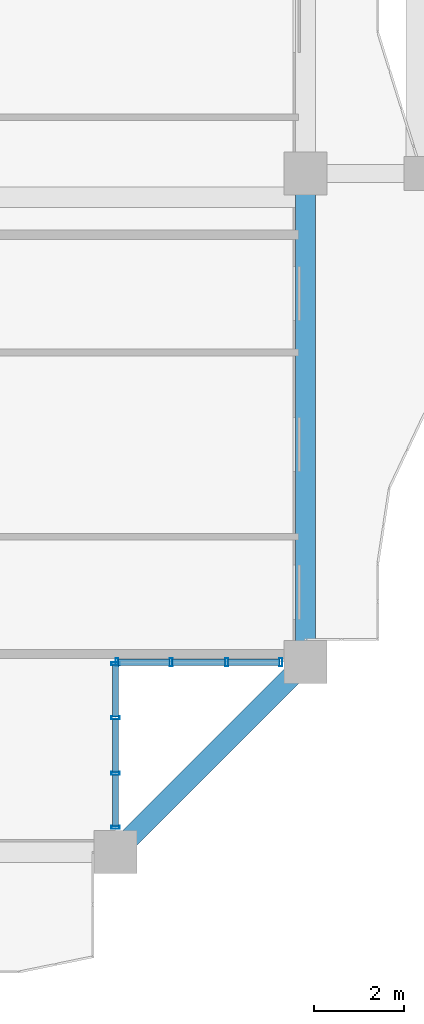
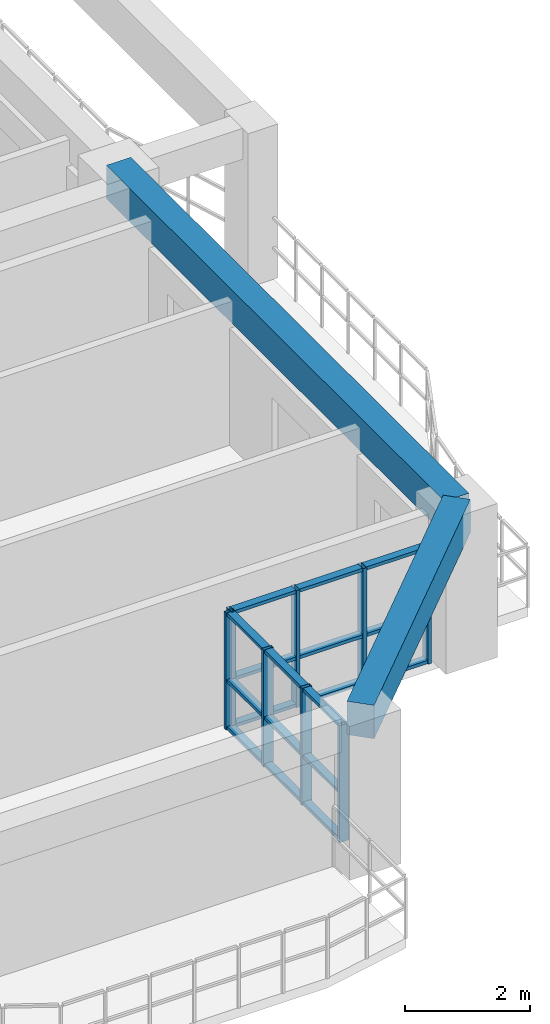
# One storey, part 4 of 25: 26 members, 2 beams, 2 elements without a shape of their own.
"""IFC4 building model written with IfcOpenShell, lengths in metres."""

from ifc_helpers import new_model, si_unit, direction, frame, origin, origin_2d, place, context, subcontext, project, spatial, rectangle, hollow_rectangle, extrude, source, transform, mapped, material, layer, layer_set, material_profile, profile_set, type_object, element, aggregate, save


model = new_model("IFC4")

# Units and contexts
model_context = context("Model", 3, precision=1e-05, world=origin(), true_north=direction((0.0, 1.0)))
body_context = subcontext(model_context, "Body", "Model", "MODEL_VIEW")
ifc_project = project(units=[si_unit("LENGTHUNIT", "METRE"), si_unit("AREAUNIT", "SQUARE_METRE"), si_unit("VOLUMEUNIT", "CUBIC_METRE"), si_unit("PLANEANGLEUNIT", "RADIAN"), si_unit("MASSUNIT", "GRAM", prefix="KILO")], contexts=[model_context])

# Site, building, storey
site_placement = place(None, origin())
site = spatial("IfcSite", under=ifc_project, at=site_placement, CompositionType="ELEMENT")
building_placement = place(site_placement, origin())
building = spatial("IfcBuilding", under=site, at=building_placement, Name="Saelheon Loggia Tower", CompositionType="ELEMENT")
storey_placement = place(building_placement, frame((0.0, 0.0, 107.85009765625)))
storey = spatial("IfcBuildingStorey", under=building, at=storey_placement, Name="L34", CompositionType="ELEMENT", Elevation=107.85009765625)

# Beams
ifc_material_1 = material(Name="Concrete C40/50", Category="concrete")
ifc_material_profile_1 = material_profile(ifc_material_1, rectangle(XDim=0.449951171875, YDim=0.64990234375, at=origin_2d()), Name="RC-450x650")
ifc_profile_set_1 = profile_set([ifc_material_profile_1], Name="Concrete C40/50")
beam_type = type_object("IfcBeamType", Name="Beam_PerimTower_RC450x650", PredefinedType="BEAM", material=ifc_profile_set_1)
shared_shape_1 = source(origin(), body_context, "Body", "SweptSolid", [
    extrude(rectangle(XDim=0.449951171875, YDim=0.64990234375, at=origin_2d()), origin(), (0.0, 0.0, 1.0), 5.939697265625),
])
beam_1_placement = place(storey_placement, frame((59.800048828125, 3.0, 2.6748046875), z_axis=(0.707106781187, 0.707106781187, 0.0), x_axis=(-0.707106781187, 0.707106781187, 0.0)))
element("IfcBeam", 1, at=beam_1_placement, inside=storey, type_object=beam_type, Name="L34 Perimeter Frame Girder 04", PredefinedType="BEAM", context=body_context, shape_type="MappedRepresentation", body=[
    mapped(shared_shape_1, transform((0.0, 0.0, 0.0), scale=1.0)),
])
shared_shape_2 = source(origin(), body_context, "Body", "SweptSolid", [
    extrude(rectangle(XDim=0.449951171875, YDim=0.64990234375, at=origin_2d()), origin(), (0.0, 0.0, 1.0), 10.800048828125),
])
beam_2_placement = place(storey_placement, frame((64.0, 7.199951171875, 2.6748046875), z_axis=(0.0, 1.0, 0.0), x_axis=(-1.0, 0.0, 0.0)))
element("IfcBeam", 2, at=beam_2_placement, inside=storey, type_object=beam_type, Name="L34 Perimeter Frame Girder 05", PredefinedType="BEAM", context=body_context, shape_type="MappedRepresentation", body=[
    mapped(shared_shape_2, transform((0.0, 0.0, 0.0), scale=1.0)),
])

# Curtain wall, members
ifc_material_2 = material(Name="Thermal-Break Aluminium and Triple Low-E Glass", Category="aluminium")
ifc_layer = layer(ifc_material_2, 0.159912109375)
ifc_layer_set = layer_set([ifc_layer], Name="Thermal-Break Aluminium and Triple Low-E Glass")
curtain_wall_type = type_object("IfcCurtainWallType", Name="CW_TowerLoggiaLow", PredefinedType="NOTDEFINED", material=ifc_layer_set)
curtain_wall_1_placement = place(storey_placement, origin())
curtain_wall_1 = element("IfcCurtainWall", 3, at=curtain_wall_1_placement, inside=storey, type_object=curtain_wall_type, Name="L34 Corner Notch Glazing SE1", PredefinedType="NOTDEFINED")
ifc_material_3 = material(Name="Anodised Aluminium 6063-T6", Category="aluminium")
ifc_material_profile_2 = material_profile(ifc_material_3, hollow_rectangle(XDim=0.06494140625, YDim=0.179931640625, WallThickness=0.00390625, at=origin_2d()), Name="RHS-180x65x4")
ifc_profile_set_2 = profile_set([ifc_material_profile_2], Name="Anodised Aluminium 6063-T6")
member_type_1 = type_object("IfcMemberType", Name="CW_TowerLoggiaLow_Mullion", PredefinedType="MULLION", material=ifc_profile_set_2)
shared_shape_3 = source(origin(), body_context, "Body", "SweptSolid", [
    extrude(hollow_rectangle(XDim=0.06494140625, YDim=0.179931640625, WallThickness=0.00390625, at=origin_2d()), origin(), (0.0, 0.0, 1.0), 2.27978515625),
])
member_1_placement = place(storey_placement, frame((59.800048828125, 3.547607421875, 0.0), z_axis=(0.0, 0.0, 1.0), x_axis=(0.0, 1.0, 0.0)))
member_1 = element("IfcMember", 4, at=member_1_placement, type_object=member_type_1, Name="CW3 mullion 1", PredefinedType="MULLION", context=body_context, shape_type="MappedRepresentation", body=[
    mapped(shared_shape_3, transform((0.0, 0.0, 0.0), scale=1.0)),
])
member_2_placement = place(storey_placement, frame((59.800048828125, 4.743408203125, 0.0), z_axis=(0.0, 0.0, 1.0), x_axis=(0.0, 1.0, 0.0)))
member_2 = element("IfcMember", 5, at=member_2_placement, type_object=member_type_1, Name="CW3 mullion 2", PredefinedType="MULLION", context=body_context, shape_type="MappedRepresentation", body=[
    mapped(shared_shape_3, transform((0.0, 0.0, 0.0), scale=1.0)),
])
member_3_placement = place(storey_placement, frame((59.800048828125, 5.9716796875, 0.0), z_axis=(0.0, 0.0, 1.0), x_axis=(0.0, 1.0, 0.0)))
member_3 = element("IfcMember", 6, at=member_3_placement, type_object=member_type_1, Name="CW3 mullion 3", PredefinedType="MULLION", context=body_context, shape_type="MappedRepresentation", body=[
    mapped(shared_shape_3, transform((0.0, 0.0, 0.0), scale=1.0)),
])
member_4_placement = place(storey_placement, frame((59.800048828125, 7.16748046875, 0.0), z_axis=(0.0, 0.0, 1.0), x_axis=(0.0, 1.0, 0.0)))
member_4 = element("IfcMember", 7, at=member_4_placement, type_object=member_type_1, Name="CW3 mullion 4", PredefinedType="MULLION", context=body_context, shape_type="MappedRepresentation", body=[
    mapped(shared_shape_3, transform((0.0, 0.0, 0.0), scale=1.0)),
])

curtain_wall_2_placement = place(storey_placement, origin())
curtain_wall_2 = element("IfcCurtainWall", 8, at=curtain_wall_2_placement, inside=storey, type_object=curtain_wall_type, Name="L34 Corner Notch Glazing SE2", PredefinedType="NOTDEFINED")
member_5_placement = place(storey_placement, frame((59.83251953125, 7.199951171875, 0.0), z_axis=(0.0, 0.0, 1.0), x_axis=(1.0, 0.0, 0.0)))
member_5 = element("IfcMember", 9, at=member_5_placement, type_object=member_type_1, Name="CW3 mullion 1", PredefinedType="MULLION", context=body_context, shape_type="MappedRepresentation", body=[
    mapped(shared_shape_3, transform((0.0, 0.0, 0.0), scale=1.0)),
])
member_6_placement = place(storey_placement, frame((61.0283203125, 7.199951171875, 0.0), z_axis=(0.0, 0.0, 1.0), x_axis=(1.0, 0.0, 0.0)))
member_6 = element("IfcMember", 10, at=member_6_placement, type_object=member_type_1, Name="CW3 mullion 2", PredefinedType="MULLION", context=body_context, shape_type="MappedRepresentation", body=[
    mapped(shared_shape_3, transform((0.0, 0.0, 0.0), scale=1.0)),
])
member_7_placement = place(storey_placement, frame((62.256591796875, 7.199951171875, 0.0), z_axis=(0.0, 0.0, 1.0), x_axis=(1.0, 0.0, 0.0)))
member_7 = element("IfcMember", 11, at=member_7_placement, type_object=member_type_1, Name="CW3 mullion 3", PredefinedType="MULLION", context=body_context, shape_type="MappedRepresentation", body=[
    mapped(shared_shape_3, transform((0.0, 0.0, 0.0), scale=1.0)),
])
member_8_placement = place(storey_placement, frame((63.452392578125, 7.199951171875, 0.0), z_axis=(0.0, 0.0, 1.0), x_axis=(1.0, 0.0, 0.0)))
member_8 = element("IfcMember", 12, at=member_8_placement, type_object=member_type_1, Name="CW3 mullion 4", PredefinedType="MULLION", context=body_context, shape_type="MappedRepresentation", body=[
    mapped(shared_shape_3, transform((0.0, 0.0, 0.0), scale=1.0)),
])

# Member
ifc_material_profile_3 = material_profile(ifc_material_3, hollow_rectangle(XDim=0.06494140625, YDim=0.139892578125, WallThickness=0.00390625, at=origin_2d()), Name="RHS-140x65x4")
ifc_profile_set_3 = profile_set([ifc_material_profile_3], Name="Anodised Aluminium 6063-T6")
member_type_2 = type_object("IfcMemberType", Name="CW_TowerLoggiaLow_Transom", PredefinedType="USERDEFINED", material=ifc_profile_set_3)
shared_shape_4 = source(origin(), body_context, "Body", "SweptSolid", [
    extrude(hollow_rectangle(XDim=0.06494140625, YDim=0.139892578125, WallThickness=0.00390625, at=origin_2d()), origin(), (0.0, 0.0, 1.0), 1.130859375),
])
member_9_placement = place(storey_placement, frame((59.800048828125, 3.580078125, 0.032470703125), z_axis=(0.0, 1.0, 0.0), x_axis=(0.0, 0.0, 1.0)))
member_9 = element("IfcMember", 13, at=member_9_placement, type_object=member_type_2, Name="CW3 transom 1.1", ObjectType="TRANSOM", PredefinedType="USERDEFINED", context=body_context, shape_type="MappedRepresentation", body=[
    mapped(shared_shape_4, transform((0.0, 0.0, 0.0), scale=1.0)),
])

member_10_placement = place(storey_placement, frame((59.800048828125, 3.580078125, 0.949951171875), z_axis=(0.0, 1.0, 0.0), x_axis=(0.0, 0.0, 1.0)))
member_10 = element("IfcMember", 14, at=member_10_placement, type_object=member_type_2, Name="CW3 transom 1.2", ObjectType="TRANSOM", PredefinedType="USERDEFINED", context=body_context, shape_type="MappedRepresentation", body=[
    mapped(shared_shape_4, transform((0.0, 0.0, 0.0), scale=1.0)),
])

member_11_placement = place(storey_placement, frame((59.800048828125, 3.580078125, 2.247314453125), z_axis=(0.0, 1.0, 0.0), x_axis=(0.0, 0.0, 1.0)))
member_11 = element("IfcMember", 15, at=member_11_placement, type_object=member_type_2, Name="CW3 transom 1.3", ObjectType="TRANSOM", PredefinedType="USERDEFINED", context=body_context, shape_type="MappedRepresentation", body=[
    mapped(shared_shape_4, transform((0.0, 0.0, 0.0), scale=1.0)),
])

member_12_placement = place(storey_placement, frame((59.800048828125, 6.004150390625, 0.032470703125), z_axis=(0.0, 1.0, 0.0), x_axis=(0.0, 0.0, 1.0)))
member_12 = element("IfcMember", 16, at=member_12_placement, type_object=member_type_2, Name="CW3 transom 3.1", ObjectType="TRANSOM", PredefinedType="USERDEFINED", context=body_context, shape_type="MappedRepresentation", body=[
    mapped(shared_shape_4, transform((0.0, 0.0, 0.0), scale=1.0)),
])

member_13_placement = place(storey_placement, frame((59.800048828125, 6.004150390625, 0.949951171875), z_axis=(0.0, 1.0, 0.0), x_axis=(0.0, 0.0, 1.0)))
member_13 = element("IfcMember", 17, at=member_13_placement, type_object=member_type_2, Name="CW3 transom 3.2", ObjectType="TRANSOM", PredefinedType="USERDEFINED", context=body_context, shape_type="MappedRepresentation", body=[
    mapped(shared_shape_4, transform((0.0, 0.0, 0.0), scale=1.0)),
])

member_14_placement = place(storey_placement, frame((59.800048828125, 6.004150390625, 2.247314453125), z_axis=(0.0, 1.0, 0.0), x_axis=(0.0, 0.0, 1.0)))
member_14 = element("IfcMember", 18, at=member_14_placement, type_object=member_type_2, Name="CW3 transom 3.3", ObjectType="TRANSOM", PredefinedType="USERDEFINED", context=body_context, shape_type="MappedRepresentation", body=[
    mapped(shared_shape_4, transform((0.0, 0.0, 0.0), scale=1.0)),
])

member_15_placement = place(storey_placement, frame((59.864990234375, 7.199951171875, 0.032470703125), z_axis=(1.0, 0.0, 0.0), x_axis=(0.0, 0.0, 1.0)))
member_15 = element("IfcMember", 19, at=member_15_placement, type_object=member_type_2, Name="CW3 transom 1.1", ObjectType="TRANSOM", PredefinedType="USERDEFINED", context=body_context, shape_type="MappedRepresentation", body=[
    mapped(shared_shape_4, transform((0.0, 0.0, 0.0), scale=1.0)),
])

member_16_placement = place(storey_placement, frame((59.864990234375, 7.199951171875, 0.949951171875), z_axis=(1.0, 0.0, 0.0), x_axis=(0.0, 0.0, 1.0)))
member_16 = element("IfcMember", 20, at=member_16_placement, type_object=member_type_2, Name="CW3 transom 1.2", ObjectType="TRANSOM", PredefinedType="USERDEFINED", context=body_context, shape_type="MappedRepresentation", body=[
    mapped(shared_shape_4, transform((0.0, 0.0, 0.0), scale=1.0)),
])

member_17_placement = place(storey_placement, frame((59.864990234375, 7.199951171875, 2.247314453125), z_axis=(1.0, 0.0, 0.0), x_axis=(0.0, 0.0, 1.0)))
member_17 = element("IfcMember", 21, at=member_17_placement, type_object=member_type_2, Name="CW3 transom 1.3", ObjectType="TRANSOM", PredefinedType="USERDEFINED", context=body_context, shape_type="MappedRepresentation", body=[
    mapped(shared_shape_4, transform((0.0, 0.0, 0.0), scale=1.0)),
])

member_18_placement = place(storey_placement, frame((62.2890625, 7.199951171875, 0.032470703125), z_axis=(1.0, 0.0, 0.0), x_axis=(0.0, 0.0, 1.0)))
member_18 = element("IfcMember", 22, at=member_18_placement, type_object=member_type_2, Name="CW3 transom 3.1", ObjectType="TRANSOM", PredefinedType="USERDEFINED", context=body_context, shape_type="MappedRepresentation", body=[
    mapped(shared_shape_4, transform((0.0, 0.0, 0.0), scale=1.0)),
])

member_19_placement = place(storey_placement, frame((62.2890625, 7.199951171875, 0.949951171875), z_axis=(1.0, 0.0, 0.0), x_axis=(0.0, 0.0, 1.0)))
member_19 = element("IfcMember", 23, at=member_19_placement, type_object=member_type_2, Name="CW3 transom 3.2", ObjectType="TRANSOM", PredefinedType="USERDEFINED", context=body_context, shape_type="MappedRepresentation", body=[
    mapped(shared_shape_4, transform((0.0, 0.0, 0.0), scale=1.0)),
])

member_20_placement = place(storey_placement, frame((62.2890625, 7.199951171875, 2.247314453125), z_axis=(1.0, 0.0, 0.0), x_axis=(0.0, 0.0, 1.0)))
member_20 = element("IfcMember", 24, at=member_20_placement, type_object=member_type_2, Name="CW3 transom 3.3", ObjectType="TRANSOM", PredefinedType="USERDEFINED", context=body_context, shape_type="MappedRepresentation", body=[
    mapped(shared_shape_4, transform((0.0, 0.0, 0.0), scale=1.0)),
])

shared_shape_5 = source(origin(), body_context, "Body", "SweptSolid", [
    extrude(hollow_rectangle(XDim=0.06494140625, YDim=0.139892578125, WallThickness=0.00390625, at=origin_2d()), origin(), (0.0, 0.0, 1.0), 1.163330078125),
])
member_21_placement = place(storey_placement, frame((59.800048828125, 4.77587890625, 0.032470703125), z_axis=(0.0, 1.0, 0.0), x_axis=(0.0, 0.0, 1.0)))
member_21 = element("IfcMember", 25, at=member_21_placement, type_object=member_type_2, Name="CW3 transom 2.1", ObjectType="TRANSOM", PredefinedType="USERDEFINED", context=body_context, shape_type="MappedRepresentation", body=[
    mapped(shared_shape_5, transform((0.0, 0.0, 0.0), scale=1.0)),
])

member_22_placement = place(storey_placement, frame((59.800048828125, 4.77587890625, 0.949951171875), z_axis=(0.0, 1.0, 0.0), x_axis=(0.0, 0.0, 1.0)))
member_22 = element("IfcMember", 26, at=member_22_placement, type_object=member_type_2, Name="CW3 transom 2.2", ObjectType="TRANSOM", PredefinedType="USERDEFINED", context=body_context, shape_type="MappedRepresentation", body=[
    mapped(shared_shape_5, transform((0.0, 0.0, 0.0), scale=1.0)),
])

member_23_placement = place(storey_placement, frame((59.800048828125, 4.77587890625, 2.247314453125), z_axis=(0.0, 1.0, 0.0), x_axis=(0.0, 0.0, 1.0)))
member_23 = element("IfcMember", 27, at=member_23_placement, type_object=member_type_2, Name="CW3 transom 2.3", ObjectType="TRANSOM", PredefinedType="USERDEFINED", context=body_context, shape_type="MappedRepresentation", body=[
    mapped(shared_shape_5, transform((0.0, 0.0, 0.0), scale=1.0)),
])

aggregate(curtain_wall_1, [member_1, member_2, member_3, member_4, member_9, member_10, member_11, member_21, member_22, member_23, member_12, member_13, member_14])

member_24_placement = place(storey_placement, frame((61.060791015625, 7.199951171875, 0.032470703125), z_axis=(1.0, 0.0, 0.0), x_axis=(0.0, 0.0, 1.0)))
member_24 = element("IfcMember", 28, at=member_24_placement, type_object=member_type_2, Name="CW3 transom 2.1", ObjectType="TRANSOM", PredefinedType="USERDEFINED", context=body_context, shape_type="MappedRepresentation", body=[
    mapped(shared_shape_5, transform((0.0, 0.0, 0.0), scale=1.0)),
])

member_25_placement = place(storey_placement, frame((61.060791015625, 7.199951171875, 0.949951171875), z_axis=(1.0, 0.0, 0.0), x_axis=(0.0, 0.0, 1.0)))
member_25 = element("IfcMember", 29, at=member_25_placement, type_object=member_type_2, Name="CW3 transom 2.2", ObjectType="TRANSOM", PredefinedType="USERDEFINED", context=body_context, shape_type="MappedRepresentation", body=[
    mapped(shared_shape_5, transform((0.0, 0.0, 0.0), scale=1.0)),
])

member_26_placement = place(storey_placement, frame((61.060791015625, 7.199951171875, 2.247314453125), z_axis=(1.0, 0.0, 0.0), x_axis=(0.0, 0.0, 1.0)))
member_26 = element("IfcMember", 30, at=member_26_placement, type_object=member_type_2, Name="CW3 transom 2.3", ObjectType="TRANSOM", PredefinedType="USERDEFINED", context=body_context, shape_type="MappedRepresentation", body=[
    mapped(shared_shape_5, transform((0.0, 0.0, 0.0), scale=1.0)),
])

aggregate(curtain_wall_2, [member_5, member_6, member_7, member_8, member_15, member_16, member_17, member_24, member_25, member_26, member_18, member_19, member_20])

save(model, "model.ifc")
